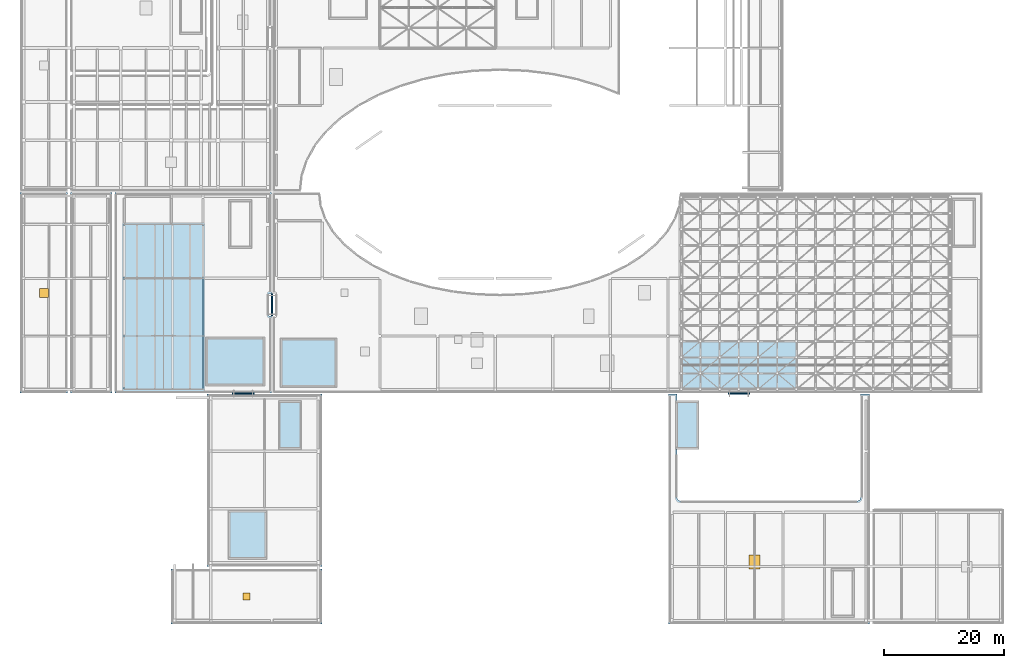
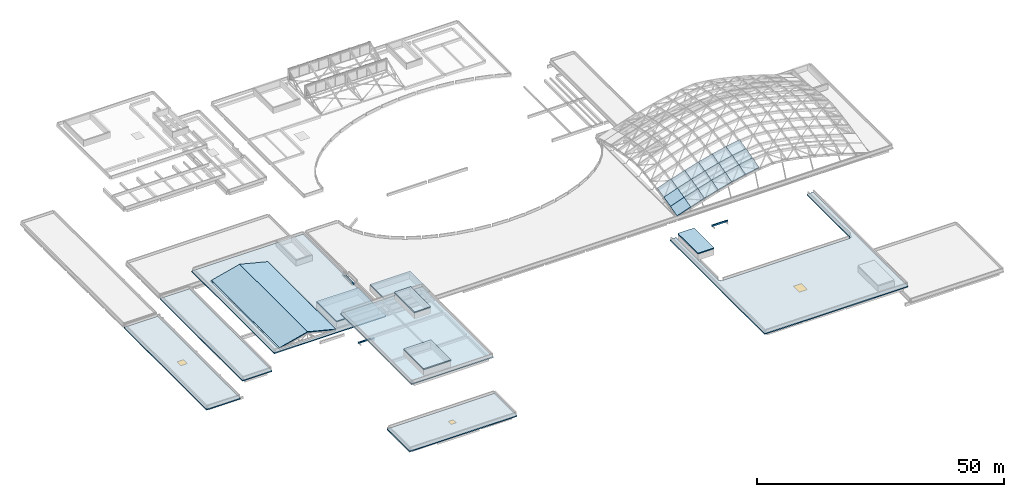
"""IFC4 building model written with IfcOpenShell, lengths in metres."""

from ifc_helpers import new_model, si_unit, direction, frame, origin, origin_2d, place, context, subcontext, project, spatial, polyline, rectangle, outline, extrude, material, layer, layer_set, type_object, element, fill, aggregate, save


model = new_model("IFC4")

# Units and contexts
model_context = context("Model", 3, precision=1e-05, world=origin(), true_north=direction((0.0, 1.0)))
body_context = subcontext(model_context, "Body", "Model", "MODEL_VIEW")
ifc_project = project(units=[si_unit("LENGTHUNIT", "METRE"), si_unit("AREAUNIT", "SQUARE_METRE"), si_unit("VOLUMEUNIT", "CUBIC_METRE"), si_unit("PLANEANGLEUNIT", "RADIAN"), si_unit("MASSUNIT", "GRAM", prefix="KILO")], contexts=[model_context])

# Site, building, storey
site_placement = place(None, origin())
site = spatial("IfcSite", under=ifc_project, at=site_placement, CompositionType="ELEMENT")
building_placement = place(site_placement, origin())
building = spatial("IfcBuilding", under=site, at=building_placement, Name="Mzevani Central Library", CompositionType="ELEMENT")
storey_1_placement = place(building_placement, frame((0.0, 0.0, 26.699951171875)))
storey_1 = spatial("IfcBuildingStorey", under=building, at=storey_1_placement, Name="RF", CompositionType="ELEMENT", Elevation=26.699951171875)

# Slabs
ifc_material_1 = material(Name="Precast concrete C40/50", Category="concrete")
ifc_layer_1 = layer(ifc_material_1, 0.260009765625, Name="Flat Thermal Roof Slab 260")
ifc_layer_set_1 = layer_set([ifc_layer_1], Name="Precast concrete C40/50")
slab_type_1 = type_object("IfcSlabType", Name="Flat Thermal Roof Slab 260", PredefinedType="ROOF", material=ifc_layer_set_1)
slab_1_placement = place(storey_1_placement, frame((0.0, 0.0, -13.159912109375)))
element("IfcSlab", 1, at=slab_1_placement, inside=storey_1, type_object=slab_type_1, Name="West Reading Seismic Passage L02 Roof Slab", PredefinedType="ROOF", context=body_context, shape_type="SweptSolid", body=[
    extrude(outline(polyline([(45.89990234375, 55.39990234375), (46.10009765625, 55.39990234375), (46.10009765625, 59.0), (45.89990234375, 59.0), (45.89990234375, 55.39990234375)])), origin(), (0.0, 0.0, 1.0), 0.260009765625),
])
slab_2_placement = place(storey_1_placement, frame((0.0, 0.0, -17.35986328125)))
element("IfcSlab", 2, at=slab_2_placement, inside=storey_1, type_object=slab_type_1, Name="Cultural-Auditorium Seismic Passage L01 Roof Slab", PredefinedType="ROOF", context=body_context, shape_type="SweptSolid", body=[
    extrude(outline(polyline([(39.39990234375, 42.300048828125), (43.0, 42.300048828125), (43.0, 42.5), (39.39990234375, 42.5), (39.39990234375, 42.300048828125)])), origin(), (0.0, 0.0, 1.0), 0.260009765625),
])
slab_3_placement = place(storey_1_placement, frame((0.0, 0.0, -17.35986328125)))
element("IfcSlab", 3, at=slab_3_placement, inside=storey_1, type_object=slab_type_1, Name="Children-Reading Hall Seismic Passage L01 Roof Slab", PredefinedType="ROOF", context=body_context, shape_type="SweptSolid", body=[
    extrude(outline(polyline([(122.0, 42.300048828125), (125.60009765625, 42.300048828125), (125.60009765625, 42.5), (122.0, 42.5), (122.0, 42.300048828125)])), origin(), (0.0, 0.0, 1.0), 0.260009765625),
])

# Slab, opening
slab_4_placement = place(storey_1_placement, frame((0.0, 0.0, -17.35986328125)))
slab_4 = element("IfcSlab", 4, at=slab_4_placement, inside=storey_1, type_object=slab_type_1, Name="RF V4 Insulated Concrete Roof (L01 Top 1)", PredefinedType="ROOF", context=body_context, shape_type="SweptSolid", body=[
    extrude(outline(polyline([(29.199951171875, 13.1201171875), (54.300048828125, 13.1201171875), (54.300048828125, 4.0), (29.199951171875, 4.0), (29.199951171875, 13.1201171875)])), origin(), (0.0, 0.0, 1.0), 0.260009765625),
])
opening_1_placement = place(slab_4_placement, frame((41.75, 8.56005859375, 0.0)))
opening_1 = element("IfcOpeningElement", 5, at=opening_1_placement, cuts=slab_4, Name="Opening RH-01", PredefinedType="OPENING", context=body_context, shape_type="SweptSolid", body=[
    extrude(rectangle(XDim=1.199951171875, YDim=1.199951171875, at=origin_2d()), origin(), (0.0, 0.0, 1.0), 0.260009765625),
])

# Storey
storey_2_placement = place(building_placement, frame((0.0, 0.0, 5.39990234375)))
storey_2 = spatial("IfcBuildingStorey", under=building, at=storey_2_placement, Name="L01", CompositionType="ELEMENT", Elevation=5.39990234375)

# Window
ifc_material_2 = material(Name="Low-E triple glazing glass", Category="glass")
window_type_1 = type_object("IfcWindowType", Name="Roof Access Hatch 1200x1200", PartitioningType="SINGLE_PANEL", PredefinedType="SKYLIGHT", material=ifc_material_2)
window_1_placement = place(opening_1_placement, frame((0.0, 0.0, 0.2099609375)))
window_1 = element("IfcWindow", 6, at=window_1_placement, inside=storey_2, type_object=window_type_1, Name="L01 V4 RH-01 Roof Hatch / Skylight (7)", OverallHeight=1.199951171875, OverallWidth=1.199951171875, PartitioningType="SINGLE_PANEL", PredefinedType="SKYLIGHT", context=body_context, shape_type="SweptSolid", body=[
    extrude(rectangle(XDim=1.199951171875, YDim=1.199951171875, at=origin_2d()), origin(), (0.0, 0.0, 1.0), 0.050048828125),
])

fill(opening_1, window_1)

# Slab
slab_5_placement = place(storey_1_placement, frame((0.0, 0.0, -8.659912109375)))
element("IfcSlab", 7, at=slab_5_placement, inside=storey_1, type_object=slab_type_1, Name="RF V4 Insulated Concrete Roof (L03 Top 1)", PredefinedType="ROOF", context=body_context, shape_type="SweptSolid", body=[
    extrude(outline(polyline([(35.199951171875, 42.300048828125), (54.300048828125, 42.300048828125), (54.300048828125, 13.60009765625), (35.199951171875, 13.60009765625), (35.199951171875, 42.300048828125)])), origin(), (0.0, 0.0, 1.0), 0.260009765625),
])

# Slab, opening
slab_6_placement = place(storey_1_placement, frame((0.0, 0.0, -21.56005859375)))
slab_6 = element("IfcSlab", 8, at=slab_6_placement, inside=storey_1, type_object=slab_type_1, Name="RF V5 Insulated Concrete Roof (L00 Top 1)", PredefinedType="ROOF", context=body_context, shape_type="SweptSolid", body=[
    extrude(outline(polyline([(4.0, 42.5), (4.0, 75.89990234375), (11.919921875, 75.89990234375), (11.919921875, 42.5), (4.0, 42.5)])), origin(), (0.0, 0.0, 1.0), 0.260009765625),
])
opening_2_placement = place(slab_6_placement, frame((7.9599609375, 59.199951171875, 0.0)))
opening_2 = element("IfcOpeningElement", 9, at=opening_2_placement, cuts=slab_6, Name="Opening SK-01", PredefinedType="OPENING", context=body_context, shape_type="SweptSolid", body=[
    extrude(rectangle(XDim=1.5, YDim=1.5, at=origin_2d()), origin(), (0.0, 0.0, 1.0), 0.260009765625),
])

# Storey
storey_3_placement = place(building_placement, origin())
storey_3 = spatial("IfcBuildingStorey", under=building, at=storey_3_placement, Name="L00", CompositionType="ELEMENT", Elevation=0.0)

# Window
window_type_2 = type_object("IfcWindowType", Name="Smoke Vent Skylight 1500x1500", PartitioningType="SINGLE_PANEL", PredefinedType="SKYLIGHT", material=ifc_material_2)
window_2_placement = place(opening_2_placement, frame((0.0, 0.0, 0.2099609375)))
window_2 = element("IfcWindow", 10, at=window_2_placement, inside=storey_3, type_object=window_type_2, Name="L00 V5 SK-01 Roof Hatch / Skylight (8)", OverallHeight=1.5, OverallWidth=1.5, PartitioningType="SINGLE_PANEL", PredefinedType="SKYLIGHT", context=body_context, shape_type="SweptSolid", body=[
    extrude(rectangle(XDim=1.5, YDim=1.5, at=origin_2d()), origin(), (0.0, 0.0, 1.0), 0.050048828125),
])

fill(opening_2, window_2)

# Slabs
slab_7_placement = place(storey_1_placement, frame((0.0, 0.0, -17.35986328125)))
element("IfcSlab", 11, at=slab_7_placement, inside=storey_1, type_object=slab_type_1, Name="RF V5 Insulated Concrete Roof (L01 Top 1)", PredefinedType="ROOF", context=body_context, shape_type="SweptSolid", body=[
    extrude(outline(polyline([(19.320068359375, 42.5), (12.39990234375, 42.5), (12.39990234375, 75.89990234375), (19.320068359375, 75.89990234375), (19.320068359375, 42.5)])), origin(), (0.0, 0.0, 1.0), 0.260009765625),
])
slab_8_placement = place(storey_1_placement, frame((0.0, 0.0, -13.159912109375)))
element("IfcSlab", 12, at=slab_8_placement, inside=storey_1, type_object=slab_type_1, Name="RF V5 Insulated Concrete Roof (L02 Top 1)", PredefinedType="ROOF", context=body_context, shape_type="SweptSolid", body=[
    extrude(outline(polyline([(45.47998046875, 55.320068359375), (45.89990234375, 55.320068359375), (45.89990234375, 42.5), (19.800048828125, 42.5), (19.800048828125, 75.89990234375), (45.89990234375, 75.89990234375), (45.89990234375, 59.080078125), (45.47998046875, 59.080078125), (45.47998046875, 55.320068359375)]), holes=[polyline([(34.5, 43.10009765625), (34.5, 70.60009765625), (21.35009765625, 70.60009765625), (21.35009765625, 43.10009765625), (34.5, 43.10009765625)])]), origin(), (0.0, 0.0, 1.0), 0.260009765625),
])

# Slab, opening, window
slab_9_placement = place(storey_1_placement, frame((0.0, 0.0, -17.35986328125)))
slab_9 = element("IfcSlab", 13, at=slab_9_placement, inside=storey_1, type_object=slab_type_1, Name="RF V6 Insulated Concrete Roof (L01 Top 1)", PredefinedType="ROOF", context=body_context, shape_type="SweptSolid", body=[
    extrude(outline(polyline([(113.556396484375, 24.81640625), (113.7333984375, 24.600830078125), (114.0, 24.52001953125), (143.60009765625, 24.52001953125), (143.826416015625, 24.57666015625), (143.9990234375, 24.7333984375), (144.080078125, 25.0), (144.080078125, 42.300048828125), (145.60009765625, 42.300048828125), (145.60009765625, 4.0), (112.10009765625, 4.0), (112.10009765625, 42.300048828125), (113.52001953125, 42.300048828125), (113.52001953125, 25.0), (113.556396484375, 24.81640625)])), origin(), (0.0, 0.0, 1.0), 0.260009765625),
])
opening_3_placement = place(slab_9_placement, frame((126.39990234375, 14.31884765625, 0.0)))
opening_3 = element("IfcOpeningElement", 14, at=opening_3_placement, cuts=slab_9, Name="Opening SK-03", PredefinedType="OPENING", context=body_context, shape_type="SweptSolid", body=[
    extrude(rectangle(XDim=1.800048828125, YDim=2.39990234375, at=origin_2d()), origin(), (0.0, 0.0, 1.0), 0.260009765625),
])
window_type_3 = type_object("IfcWindowType", Name="Atrium Skylight 1800x2400", PartitioningType="SINGLE_PANEL", PredefinedType="SKYLIGHT", material=ifc_material_2)
window_3_placement = place(opening_3_placement, frame((0.0, 0.0, 0.2099609375)))
window_3 = element("IfcWindow", 15, at=window_3_placement, inside=storey_2, type_object=window_type_3, Name="L01 V6 SK-03 Roof Hatch / Skylight (10)", OverallHeight=2.39990234375, OverallWidth=1.800048828125, PartitioningType="SINGLE_PANEL", PredefinedType="SKYLIGHT", context=body_context, shape_type="SweptSolid", body=[
    extrude(rectangle(XDim=1.800048828125, YDim=2.39990234375, at=origin_2d()), origin(), (0.0, 0.0, 1.0), 0.050048828125),
])
fill(opening_3, window_3)

# Slabs
slab_10_placement = place(storey_1_placement, frame((0.0, 0.0, -11.39990234375)))
element("IfcSlab", 16, at=slab_10_placement, inside=storey_1, type_object=slab_type_1, Name="RF Core C1A Reading Hall West Overrun Roof Slab", PredefinedType="ROOF", context=body_context, shape_type="SweptSolid", body=[
    extrude(outline(polyline([(47.39990234375, 43.5), (56.800048828125, 43.5), (56.800048828125, 51.60009765625), (47.39990234375, 51.60009765625), (47.39990234375, 43.5)])), origin(), (0.0, 0.0, 1.0), 0.260009765625),
])
slab_11_placement = place(storey_1_placement, frame((0.0, 0.0, -6.89990234375)))
element("IfcSlab", 17, at=slab_11_placement, inside=storey_1, type_object=slab_type_1, Name="RF Core C4A Cultural Wing Core Overrun Roof Slab", PredefinedType="ROOF", context=body_context, shape_type="SweptSolid", body=[
    extrude(outline(polyline([(38.699951171875, 14.800048828125), (45.10009765625, 14.800048828125), (45.10009765625, 22.89990234375), (38.699951171875, 22.89990234375), (38.699951171875, 14.800048828125)])), origin(), (0.0, 0.0, 1.0), 0.260009765625),
])
slab_12_placement = place(storey_1_placement, frame((0.0, 0.0, -6.89990234375)))
element("IfcSlab", 18, at=slab_12_placement, inside=storey_1, type_object=slab_type_1, Name="RF Core C4B Square South Escape Stair Overrun Roof Slab", PredefinedType="ROOF", context=body_context, shape_type="SweptSolid", body=[
    extrude(outline(polyline([(47.10009765625, 33.10009765625), (50.89990234375, 33.10009765625), (50.89990234375, 41.199951171875), (47.10009765625, 41.199951171875), (47.10009765625, 33.10009765625)])), origin(), (0.0, 0.0, 1.0), 0.260009765625),
])
slab_13_placement = place(storey_1_placement, frame((0.0, 0.0, -11.39990234375)))
element("IfcSlab", 19, at=slab_13_placement, inside=storey_1, type_object=slab_type_1, Name="RF Core C5A Auditorium & Goods Core Overrun Roof Slab", PredefinedType="ROOF", context=body_context, shape_type="SweptSolid", body=[
    extrude(outline(polyline([(35.0, 43.699951171875), (44.800048828125, 43.699951171875), (44.800048828125, 51.800048828125), (35.0, 51.800048828125), (35.0, 43.699951171875)])), origin(), (0.0, 0.0, 1.0), 0.260009765625),
])
slab_14_placement = place(storey_1_placement, frame((0.0, 0.0, -15.599853515625)))
element("IfcSlab", 20, at=slab_14_placement, inside=storey_1, type_object=slab_type_1, Name="RF Core C6A Children's Pavilion North Stair Overrun Roof Slab", PredefinedType="ROOF", context=body_context, shape_type="SweptSolid", body=[
    extrude(outline(polyline([(113.300048828125, 33.10009765625), (117.10009765625, 33.10009765625), (117.10009765625, 41.199951171875), (113.300048828125, 41.199951171875), (113.300048828125, 33.10009765625)])), origin(), (0.0, 0.0, 1.0), 0.260009765625),
])

# Roof, slabs
ifc_material_3 = material(Name="Glulam GL28h", Category="wood")
roof_type = type_object("IfcRoofType", Name="Translational Gridshell Pavilion Roof", PredefinedType="PAVILION_ROOF", material=ifc_material_3)
roof_placement = place(storey_1_placement, origin())
roof = element("IfcRoof", 21, at=roof_placement, inside=storey_1, type_object=roof_type, Name="RF Volume V1 Main Reading Hall Translational Gridshell Roof", PredefinedType="PAVILION_ROOF")
ifc_layer_2 = layer(ifc_material_3, 0.179931640625, Name="Gridshell Roof Quad Slab 180")
ifc_layer_set_2 = layer_set([ifc_layer_2], Name="Glulam GL28h")
slab_type_2 = type_object("IfcSlabType", Name="Gridshell Roof Quad Slab 180", PredefinedType="ROOF", material=ifc_layer_set_2)
slab_15_placement = place(storey_1_placement, frame((114.199951171875, 43.10009765625, -12.5), z_axis=(-0.319946655528, -0.254437127102, 0.912631297934), x_axis=(0.943688738215, 0.0, 0.330834649584)))
slab_15 = element("IfcSlab", 22, at=slab_15_placement, type_object=slab_type_2, Name="RF Gridshell Roof Panel 1.1", PredefinedType="ROOF", context=body_context, shape_type="SweptSolid", body=[
    extrude(outline(polyline([(0.0, 0.0), (3.3908968522041336, 0.0), (3.6368420445829863, 2.7572467791015334), (0.2459451923788525, 2.7572467791015334), (0.0, 0.0)])), origin(), (0.0, 0.0, -1.0), 0.179931640625),
])
slab_16_placement = place(storey_1_placement, frame((114.199951171875, 45.7666015625, -11.756591796875), z_axis=(-0.321645627911, -0.233657554325, 0.917577374041), x_axis=(0.943699363409, 7.718235e-06, 0.330804340118)))
slab_16 = element("IfcSlab", 23, at=slab_16_placement, type_object=slab_type_2, Name="RF Gridshell Roof Panel 1.2", PredefinedType="ROOF", context=body_context, shape_type="SweptSolid", body=[
    extrude(outline(polyline([(0.0, 0.0), (3.3908968503541796, 2.7755575615628914e-17), (3.6155187195315066, 2.742639266648939), (0.22470263195567616, 2.7426930996574197), (0.0, 0.0)])), origin(), (0.0, 0.0, -1.0), 0.179931640625),
])
slab_17_placement = place(storey_1_placement, frame((114.199951171875, 48.433349609375, -11.077392578125), z_axis=(-0.323412489384, -0.209750923549, 0.922718219058), x_axis=(0.943711214964, 0.0, 0.330770528843)))
slab_17 = element("IfcSlab", 24, at=slab_17_placement, type_object=slab_type_2, Name="RF Gridshell Roof Panel 1.3", PredefinedType="ROOF", context=body_context, shape_type="SweptSolid", body=[
    extrude(outline(polyline([(0.0, 0.0), (3.3908160898531587, 0.0), (3.591329572059484, 2.727419907118768), (0.20051348220632534, 2.727419907118768), (0.0, 0.0)])), origin(), (0.0, 0.0, -1.0), 0.179931640625),
])
slab_18_placement = place(storey_1_placement, frame((117.39990234375, 43.10009765625, -11.378173828125), z_axis=(-0.298820226818, -0.256283127006, 0.919252648001), x_axis=(0.951014872747, 0.0, 0.309145130666)))
slab_18 = element("IfcSlab", 25, at=slab_18_placement, type_object=slab_type_2, Name="RF Gridshell Roof Panel 2.1", PredefinedType="ROOF", context=body_context, shape_type="SweptSolid", body=[
    extrude(outline(polyline([(0.0, 0.0), (3.365031824641631, 5.551115123125783e-17), (3.5948528507350876, 2.758637550401539), (0.22982102609345645, 2.758637550401539), (0.0, 0.0)])), origin(), (0.0, 0.0, -1.0), 0.179931640625),
])
slab_19_placement = place(storey_1_placement, frame((117.39990234375, 45.7666015625, -10.634765625), z_axis=(-0.300463044866, -0.235328766142, 0.924306405093), x_axis=(0.951014872747, 0.0, 0.309145130666)))
slab_19 = element("IfcSlab", 26, at=slab_19_placement, type_object=slab_type_2, Name="RF Gridshell Roof Panel 2.2", PredefinedType="ROOF", context=body_context, shape_type="SweptSolid", body=[
    extrude(outline(polyline([(0.0, 0.0), (3.365031824641631, 2.7755575615628914e-17), (3.574927480985113, 2.7438055610905616), (0.2098956563434819, 2.7438055610905616), (0.0, 0.0)])), origin(), (0.0, 0.0, -1.0), 0.179931640625),
])
slab_20_placement = place(storey_1_placement, frame((117.39990234375, 48.433349609375, -9.955810546875), z_axis=(-0.302194387655, -0.211340419423, 0.929523415083), x_axis=(0.951004683442, -7.126295e-06, 0.309176473913)))
slab_20 = element("IfcSlab", 27, at=slab_20_placement, type_object=slab_type_2, Name="RF Gridshell Roof Panel 2.3", PredefinedType="ROOF", context=body_context, shape_type="SweptSolid", body=[
    extrude(outline(polyline([(0.0, 0.0), (3.365031822728602, 0.0), (3.5525114420360033, 2.728401077927216), (0.1874041367698252, 2.728352008620039), (0.0, 0.0)])), origin(), (0.0, 0.0, -1.0), 0.179931640625),
])
slab_21_placement = place(storey_1_placement, frame((120.60009765625, 43.10009765625, -10.337890625), z_axis=(-0.275039537833, -0.258156826658, 0.926125426429), x_axis=(0.958619071553, 8.74303e-06, 0.284691895878)))
slab_21 = element("IfcSlab", 28, at=slab_21_placement, type_object=slab_type_2, Name="RF Gridshell Roof Panel 3.1", PredefinedType="ROOF", context=body_context, shape_type="SweptSolid", body=[
    extrude(outline(polyline([(0.0, 0.0), (3.3381166312248416, 2.7755575615628914e-17), (3.54971273044991, 2.760029525901833), (0.21166560408246055, 2.760089943785819), (0.0, 0.0)])), origin(), (0.0, 0.0, -1.0), 0.179931640625),
])
slab_22_placement = place(storey_1_placement, frame((120.60009765625, 45.7666015625, -9.594482421875), z_axis=(-0.27656864526, -0.23714542527, 0.931274305311), x_axis=(0.958620297931, -8.076254e-06, 0.284687766385)))
slab_22 = element("IfcSlab", 29, at=slab_22_placement, type_object=slab_type_2, Name="RF Gridshell Roof Panel 3.2", PredefinedType="ROOF", context=body_context, shape_type="SweptSolid", body=[
    extrude(outline(polyline([(0.0, 0.0), (3.338047126892879, 0.0), (3.53138529807502, 2.7450823417345473), (0.19326866733292597, 2.7450268401105578), (0.0, 0.0)])), origin(), (0.0, 0.0, -1.0), 0.179931640625),
])
slab_23_placement = place(storey_1_placement, frame((120.60009765625, 48.433349609375, -8.91552734375), z_axis=(-0.278159363596, -0.212956349206, 0.936630643198), x_axis=(0.958619284083, 7.294029e-06, 0.284691180283)))
slab_23 = element("IfcSlab", 30, at=slab_23_placement, type_object=slab_type_2, Name="RF Gridshell Roof Panel 3.3", PredefinedType="ROOF", context=body_context, shape_type="SweptSolid", body=[
    extrude(outline(polyline([(0.0, 0.0), (3.3381166311811645, 2.7755575615628914e-17), (3.5107162096294426, 2.7293285582247657), (0.17266908313096405, 2.7293783975885635), (0.0, 0.0)])), origin(), (0.0, 0.0, -1.0), 0.179931640625),
])
slab_24_placement = place(storey_1_placement, frame((123.800048828125, 43.10009765625, -9.387451171875), z_axis=(-0.247480281465, -0.260159934191, 0.933311480122), x_axis=(0.966596300435, -8.953291e-06, 0.256303710285)))
slab_24 = element("IfcSlab", 31, at=slab_24_placement, type_object=slab_type_2, Name="RF Gridshell Roof Panel 4.1", PredefinedType="ROOF", context=body_context, shape_type="SweptSolid", body=[
    extrude(outline(polyline([(0.0, 0.0), (3.3105061286712716, -8.326672684688674e-17), (3.5010205354043897, 2.761630512282049), (0.19045183258509898, 2.761569117788477), (0.0, 0.0)])), origin(), (0.0, 0.0, -1.0), 0.179931640625),
])
slab_25_placement = place(storey_1_placement, frame((123.800048828125, 45.7666015625, -8.644287109375), z_axis=(-0.248877787207, -0.239006258863, 0.938581831946), x_axis=(0.966595160309, 8.271588e-06, 0.256308010017)))
slab_25 = element("IfcSlab", 32, at=slab_25_placement, type_object=slab_type_2, Name="RF Gridshell Roof Panel 4.2", PredefinedType="ROOF", context=body_context, shape_type="SweptSolid", body=[
    extrude(outline(polyline([(0.0, 0.0), (3.3105687033663687, -2.7755575615628914e-17), (3.484612386571447, 2.746312787508516), (0.17410625840283644, 2.7463691889329507), (0.0, 0.0)])), origin(), (0.0, 0.0, -1.0), 0.179931640625),
])
slab_26_placement = place(storey_1_placement, frame((123.800048828125, 48.433349609375, -7.965087890625), z_axis=(-0.250300553161, -0.214607594081, 0.944083266269), x_axis=(0.966604816788, 0.0, 0.256271590626)))
slab_26 = element("IfcSlab", 33, at=slab_26_placement, type_object=slab_type_2, Name="RF Gridshell Roof Panel 4.3", PredefinedType="ROOF", context=body_context, shape_type="SweptSolid", body=[
    extrude(outline(polyline([(0.0, 0.0), (3.3105061306316914, -2.7755575615628914e-17), (3.4658582691876063, 2.730364576268223), (0.15535213855591481, 2.7303645762682236), (0.0, 0.0)])), origin(), (0.0, 0.0, -1.0), 0.179931640625),
])
slab_27_placement = place(storey_1_placement, frame((127.0, 43.10009765625, -8.5390625), z_axis=(-0.214210756614, -0.262319684052, 0.940904955407), x_axis=(0.975050212006, 0.0, 0.221984423028)))
slab_27 = element("IfcSlab", 34, at=slab_27_placement, type_object=slab_type_2, Name="RF Gridshell Roof Panel 5.1", PredefinedType="ROOF", context=body_context, shape_type="SweptSolid", body=[
    extrude(outline(polyline([(0.0, 0.0), (3.2818321892280427, -2.7755575615628914e-17), (3.4468572302729132, 2.763270810895702), (0.16502504104487095, 2.763270810895702), (0.0, 0.0)])), origin(), (0.0, 0.0, -1.0), 0.179931640625),
])
slab_28_placement = place(storey_1_placement, frame((127.0, 45.7666015625, -7.795654296875), z_axis=(-0.215477211118, -0.240974003352, 0.946309199573), x_axis=(0.97504262809, -8.481974e-06, 0.222017732029)))
slab_28 = element("IfcSlab", 35, at=slab_28_placement, type_object=slab_type_2, Name="RF Gridshell Roof Panel 5.2", PredefinedType="ROOF", context=body_context, shape_type="SweptSolid", body=[
    extrude(outline(polyline([(0.0, 0.0), (3.2818321871950316, 2.7755575615628914e-17), (3.432603838049636, 2.747749009683529), (0.15071744730674658, 2.7476916459742506), (0.0, 0.0)])), origin(), (0.0, 0.0, -1.0), 0.179931640625),
])
slab_29_placement = place(storey_1_placement, frame((127.0, 48.433349609375, -7.11669921875), z_axis=(-0.216793906423, -0.216391810659, 0.951932238354), x_axis=(0.975034107954, 0.0, 0.222055147039)))
slab_29 = element("IfcSlab", 36, at=slab_29_placement, type_object=slab_type_2, Name="RF Gridshell Roof Panel 5.3", PredefinedType="ROOF", context=body_context, shape_type="SweptSolid", body=[
    extrude(outline(polyline([(0.0, 0.0), (3.2818863932771944, 0.0), (3.4164964836332112, 2.7314657475188295), (0.13461009035601684, 2.7314657475188295), (0.0, 0.0)])), origin(), (0.0, 0.0, -1.0), 0.179931640625),
])
slab_30_placement = place(storey_1_placement, frame((130.199951171875, 43.10009765625, -7.810546875), z_axis=(-0.17124215993, -0.264586679606, 0.949036359492), x_axis=(0.984108094626, 0.0, 0.177570431357)))
slab_30 = element("IfcSlab", 37, at=slab_30_placement, type_object=slab_type_2, Name="RF Gridshell Roof Panel 6.1", PredefinedType="ROOF", context=body_context, shape_type="SweptSolid", body=[
    extrude(outline(polyline([(0.0, 0.0), (3.2516256998089466, -2.7755575615628914e-17), (3.3836330151118235, 2.7650448291531506), (0.13200731530287696, 2.7650448291531506), (0.0, 0.0)])), origin(), (0.0, 0.0, -1.0), 0.179931640625),
])
slab_31_placement = place(storey_1_placement, frame((130.199951171875, 45.7666015625, -7.067138671875), z_axis=(-0.172208969211, -0.243084282521, 0.954596303426), x_axis=(0.984114266677, 8.711364e-06, 0.177536221791)))
slab_31 = element("IfcSlab", 38, at=slab_31_placement, type_object=slab_type_2, Name="RF Gridshell Roof Panel 6.2", PredefinedType="ROOF", context=body_context, shape_type="SweptSolid", body=[
    extrude(outline(polyline([(0.0, 0.0), (3.2516256977209532, -5.551115123125783e-17), (3.372188048068709, 2.749179850377787), (0.12060569415190382, 2.749238253993573), (0.0, 0.0)])), origin(), (0.0, 0.0, -1.0), 0.179931640625),
])
slab_32_placement = place(storey_1_placement, frame((130.199951171875, 48.433349609375, -6.387939453125), z_axis=(-0.173216263363, -0.218312839746, 0.960383064255), x_axis=(0.984121212692, 0.0, 0.177497714718)))
slab_32 = element("IfcSlab", 39, at=slab_32_placement, type_object=slab_type_2, Name="RF Gridshell Roof Panel 6.3", PredefinedType="ROOF", context=body_context, shape_type="SweptSolid", body=[
    extrude(outline(polyline([(0.0, 0.0), (3.251582356529337, 1.3877787807814457e-17), (3.3591816791962756, 2.732663058640027), (0.10759932266693875, 2.732663058640027), (0.0, 0.0)])), origin(), (0.0, 0.0, -1.0), 0.179931640625),
])
aggregate(roof, [slab_15, slab_16, slab_17, slab_18, slab_19, slab_20, slab_21, slab_22, slab_23, slab_24, slab_25, slab_26, slab_27, slab_28, slab_29, slab_30, slab_31, slab_32])

# Slabs
ifc_material_4 = material(Name="Concrete C35/45", Category="concrete")
ifc_layer_3 = layer(ifc_material_4, 0.199951171875, Name="Pitched Sawtooth Roof Slab 200")
ifc_layer_set_3 = layer_set([ifc_layer_3], Name="Concrete C35/45")
slab_type_3 = type_object("IfcSlabType", Name="Pitched Sawtooth Roof Slab 200", PredefinedType="ROOF", material=ifc_layer_set_3)
for number, where, z_axis, x_axis, name in (
    (40, (21.35009765625, 43.10009765625, -12.550048828125), (-0.243425305087, 0.0, 0.969919646591), (0.969919646591, 0.0, 0.243425305087), "RF V5 Auditorium Folded Acoustic Roof West Slope"),
    (41, (27.925048828125, 43.10009765625, -10.89990234375), (0.243425305087, 0.0, 0.969919646591), (0.969919646591, 0.0, -0.243425305087), "RF V5 Auditorium Folded Acoustic Roof East Slope"),
):
    element("IfcSlab", number, at=place(storey_1_placement, frame(where, z_axis=z_axis, x_axis=x_axis)), inside=storey_1, type_object=slab_type_3, Name=name, PredefinedType="ROOF", context=body_context, shape_type="SweptSolid", body=[
        extrude(outline(polyline([(0.0, 0.0), (6.778861728375614, 0.0), (6.778861728375614, 27.5), (0.0, 27.5), (0.0, 0.0)])), origin(), (0.0, 0.0, -1.0), 0.199951171875),
    ])

save(model, "model.ifc")
